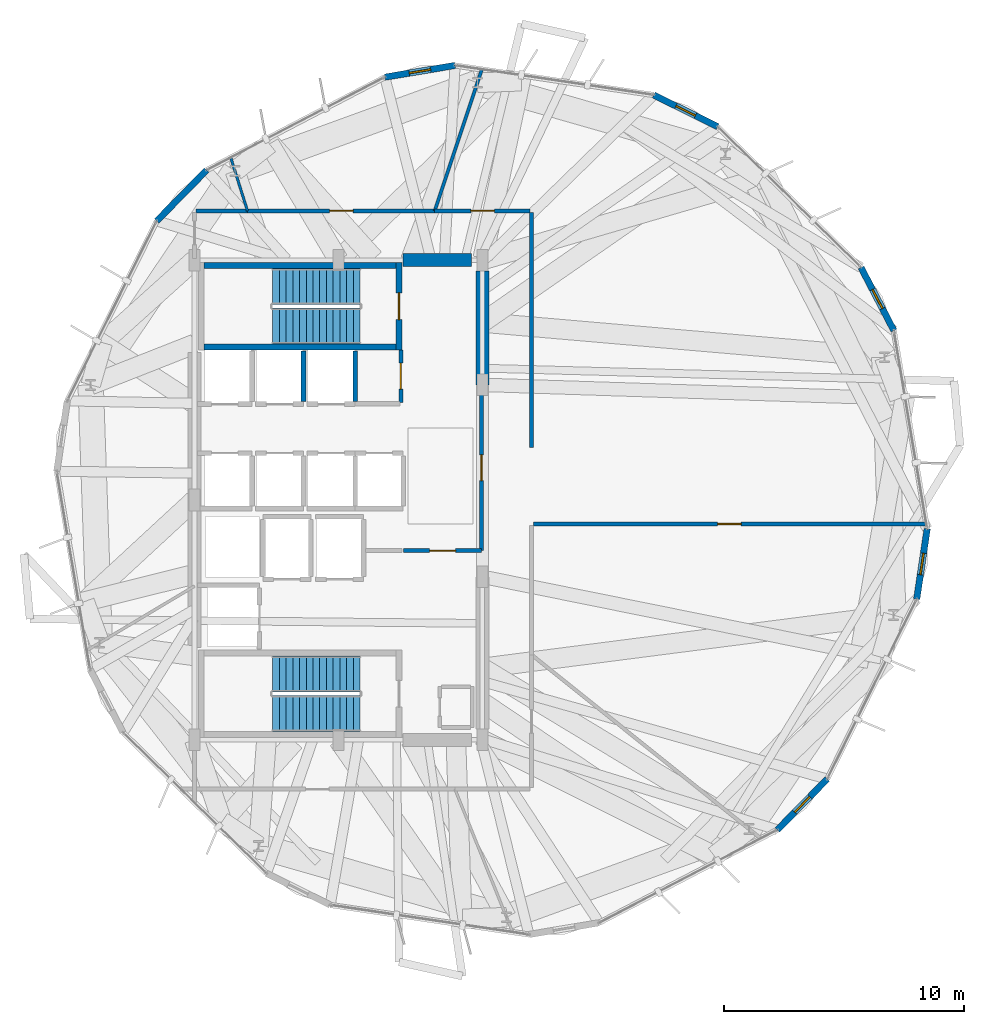
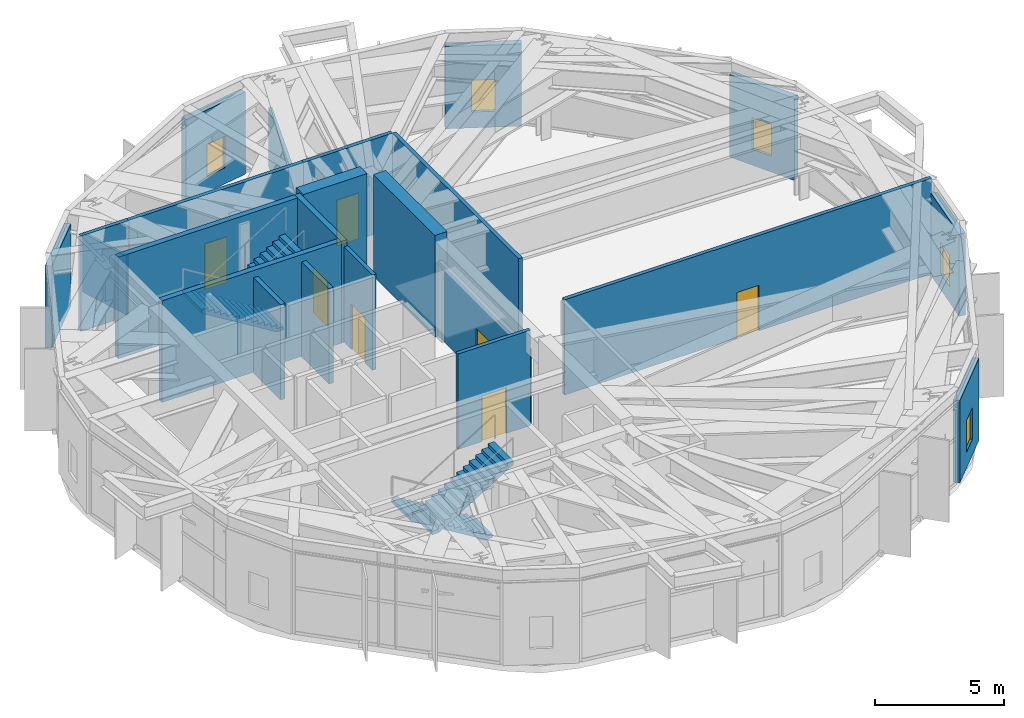
# One storey, part 23 of 27: 23 walls, 7 doors, 5 windows, 4 stair flights, 12 openings, 2 elements without a shape of their own.
"""IFC4 building model written with IfcOpenShell, lengths in metres."""

from ifc_helpers import new_model, si_unit, direction, frame, frame_2d, origin, place, context, subcontext, project, spatial, polyline, rectangle, outline, extrude, material, layer, layer_set, type_object, element, fill, aggregate, save


model = new_model("IFC4")

# Units and contexts
model_context = context("Model", 3, precision=1e-05, world=origin(), true_north=direction((0.0, 1.0)))
body_context = subcontext(model_context, "Body", "Model", "MODEL_VIEW")
ifc_project = project(units=[si_unit("LENGTHUNIT", "METRE"), si_unit("AREAUNIT", "SQUARE_METRE"), si_unit("VOLUMEUNIT", "CUBIC_METRE"), si_unit("PLANEANGLEUNIT", "RADIAN"), si_unit("MASSUNIT", "GRAM", prefix="KILO")], contexts=[model_context])

# Site, building, storey
site_placement = place(None, origin())
site = spatial("IfcSite", under=ifc_project, at=site_placement, CompositionType="ELEMENT")
building_placement = place(site_placement, origin())
building = spatial("IfcBuilding", under=site, at=building_placement, Name="Soratama Intermodal Tower", CompositionType="ELEMENT")
storey_placement = place(building_placement, frame((0.0, 0.0, 134.199951171875)))
storey = spatial("IfcBuildingStorey", under=building, at=storey_placement, Name="L32", CompositionType="ELEMENT", Elevation=134.199951171875)

# Wall, opening, window
ifc_material_1 = material(Name="Concrete f'c 42 MPa", Category="concrete")
ifc_layer_1 = layer(ifc_material_1, 0.27001953125)
ifc_layer_set_1 = layer_set([ifc_layer_1], Name="Concrete f'c 42 MPa")
wall_type_1 = type_object("IfcWallType", Name="EW-CRN-270", PredefinedType="SOLIDWALL", material=ifc_layer_set_1)
wall_1_placement = place(storey_placement, frame((54.40087890625, 40.55908203125, 0.0), z_axis=(0.0, 0.0, 1.0), x_axis=(-0.895215836877, 0.445632814551, 0.0)))
wall_1 = element("IfcWall", 1, at=wall_1_placement, inside=storey, type_object=wall_type_1, Name="L32 Corner Closure Wall 01", PredefinedType="SOLIDWALL", context=body_context, shape_type="SweptSolid", body=[
    extrude(rectangle(XDim=2.966552734375, YDim=0.27001953125, at=frame_2d((1.4833984375, 0.0))), origin(), (0.0, 0.0, 1.0), 3.879150390625),
])
opening_1_placement = place(wall_1_placement, frame((1.033203125, 0.0, 0.75)))
opening_1 = element("IfcOpeningElement", 2, at=opening_1_placement, cuts=wall_1, Name="Opening WN-6", PredefinedType="OPENING", context=body_context, shape_type="SweptSolid", body=[
    extrude(rectangle(XDim=0.89990234375, YDim=1.5, at=frame_2d((0.449951171875, 0.75))), frame((0.0, 0.14501953125, 0.0), z_axis=(0.0, -1.0, 0.0), x_axis=(1.0, 0.0, 0.0)), (0.0, 0.0, 1.0), 0.2900390625),
])
ifc_material_2 = material(Name="Double-glazed aluminium window", Category="aluminium")
window_type = type_object("IfcWindowType", Name="WN-FAC-900", PartitioningType="SINGLE_PANEL", PredefinedType="WINDOW", material=ifc_material_2)
window_1_placement = place(opening_1_placement, origin())
window_1 = element("IfcWindow", 3, at=window_1_placement, inside=storey, type_object=window_type, Name="L32 Corner Window 01", OverallHeight=1.5, OverallWidth=0.89990234375, PartitioningType="SINGLE_PANEL", PredefinedType="WINDOW", context=body_context, shape_type="SweptSolid", body=[
    extrude(rectangle(XDim=0.89990234375, YDim=1.5, at=frame_2d((0.449951171875, 0.75))), frame((0.0, 0.030029296875, 0.0), z_axis=(0.0, -1.0, 0.0), x_axis=(1.0, 0.0, 0.0)), (0.0, 0.0, 1.0), 0.06005859375),
])
fill(opening_1, window_1)

wall_2_placement = place(storey_placement, frame((43.4599609375, 43.11328125, 0.0), z_axis=(0.0, 0.0, 1.0), x_axis=(-0.986168353547, -0.165746729871, 0.0)))
wall_2 = element("IfcWall", 4, at=wall_2_placement, inside=storey, type_object=wall_type_1, Name="L32 Corner Closure Wall 02", PredefinedType="SOLIDWALL", context=body_context, shape_type="SweptSolid", body=[
    extrude(rectangle(XDim=2.966552734375, YDim=0.27001953125, at=frame_2d((1.4833984375, 0.0))), origin(), (0.0, 0.0, 1.0), 3.879150390625),
])
opening_2_placement = place(wall_2_placement, frame((1.033203125, 0.0, 0.75)))
opening_2 = element("IfcOpeningElement", 5, at=opening_2_placement, cuts=wall_2, Name="Opening WN-6", PredefinedType="OPENING", context=body_context, shape_type="SweptSolid", body=[
    extrude(rectangle(XDim=0.89990234375, YDim=1.5, at=frame_2d((0.449951171875, 0.75))), frame((0.0, 0.14501953125, 0.0), z_axis=(0.0, -1.0, 0.0), x_axis=(1.0, 0.0, 0.0)), (0.0, 0.0, 1.0), 0.2900390625),
])
window_2_placement = place(opening_2_placement, origin())
window_2 = element("IfcWindow", 6, at=window_2_placement, inside=storey, type_object=window_type, Name="L32 Corner Window 02", OverallHeight=1.5, OverallWidth=0.89990234375, PartitioningType="SINGLE_PANEL", PredefinedType="WINDOW", context=body_context, shape_type="SweptSolid", body=[
    extrude(rectangle(XDim=0.89990234375, YDim=1.5, at=frame_2d((0.449951171875, 0.75))), frame((0.0, 0.030029296875, 0.0), z_axis=(0.0, -1.0, 0.0), x_axis=(1.0, 0.0, 0.0)), (0.0, 0.0, 1.0), 0.06005859375),
])
fill(opening_2, window_2)

# Wall
wall_3_placement = place(storey_placement, frame((33.107421875, 38.748779296875, 0.0), z_axis=(0.0, 0.0, 1.0), x_axis=(-0.700409496998, -0.713741225175, 0.0)))
element("IfcWall", 7, at=wall_3_placement, inside=storey, type_object=wall_type_1, Name="L32 Corner Closure Wall 03", PredefinedType="SOLIDWALL", context=body_context, shape_type="SweptSolid", body=[
    extrude(rectangle(XDim=2.966552734375, YDim=0.27001953125, at=frame_2d((1.4833984375, 0.0))), origin(), (0.0, 0.0, 1.0), 3.879150390625),
])

# Wall, opening, window
wall_4_placement = place(storey_placement, frame((56.892578125, 11.251220703125, 0.0), z_axis=(0.0, 0.0, 1.0), x_axis=(0.700409496998, 0.713741225175, 0.0)))
wall_4 = element("IfcWall", 8, at=wall_4_placement, inside=storey, type_object=wall_type_1, Name="L32 Corner Closure Wall 08", PredefinedType="SOLIDWALL", context=body_context, shape_type="SweptSolid", body=[
    extrude(rectangle(XDim=2.966552734375, YDim=0.27001953125, at=frame_2d((1.4833984375, 0.0))), origin(), (0.0, 0.0, 1.0), 3.879150390625),
])
opening_3_placement = place(wall_4_placement, frame((1.033203125, 0.0, 0.75)))
opening_3 = element("IfcOpeningElement", 9, at=opening_3_placement, cuts=wall_4, Name="Opening WN-6", PredefinedType="OPENING", context=body_context, shape_type="SweptSolid", body=[
    extrude(rectangle(XDim=0.89990234375, YDim=1.5, at=frame_2d((0.449951171875, 0.75))), frame((0.0, 0.14501953125, 0.0), z_axis=(0.0, -1.0, 0.0), x_axis=(1.0, 0.0, 0.0)), (0.0, 0.0, 1.0), 0.2900390625),
])
window_3_placement = place(opening_3_placement, origin())
window_3 = element("IfcWindow", 10, at=window_3_placement, inside=storey, type_object=window_type, Name="L32 Corner Window 08", OverallHeight=1.5, OverallWidth=0.89990234375, PartitioningType="SINGLE_PANEL", PredefinedType="WINDOW", context=body_context, shape_type="SweptSolid", body=[
    extrude(rectangle(XDim=0.89990234375, YDim=1.5, at=frame_2d((0.449951171875, 0.75))), frame((0.0, 0.030029296875, 0.0), z_axis=(0.0, -1.0, 0.0), x_axis=(1.0, 0.0, 0.0)), (0.0, 0.0, 1.0), 0.06005859375),
])
fill(opening_3, window_3)

wall_5_placement = place(storey_placement, frame((62.70263671875, 20.867431640625, 0.0), z_axis=(0.0, 0.0, 1.0), x_axis=(0.147157120534, 0.989113128958, 0.0)))
wall_5 = element("IfcWall", 11, at=wall_5_placement, inside=storey, type_object=wall_type_1, Name="L32 Corner Closure Wall 09", PredefinedType="SOLIDWALL", context=body_context, shape_type="SweptSolid", body=[
    extrude(rectangle(XDim=2.96630859375, YDim=0.27001953125, at=frame_2d((1.483154296875, 0.0))), origin(), (0.0, 0.0, 1.0), 3.879150390625),
])
opening_4_placement = place(wall_5_placement, frame((1.033203125, 0.0, 0.75)))
opening_4 = element("IfcOpeningElement", 12, at=opening_4_placement, cuts=wall_5, Name="Opening WN-6", PredefinedType="OPENING", context=body_context, shape_type="SweptSolid", body=[
    extrude(rectangle(XDim=0.89990234375, YDim=1.5, at=frame_2d((0.449951171875, 0.75))), frame((0.0, 0.14501953125, 0.0), z_axis=(0.0, -1.0, 0.0), x_axis=(1.0, 0.0, 0.0)), (0.0, 0.0, 1.0), 0.2900390625),
])
window_4_placement = place(opening_4_placement, origin())
window_4 = element("IfcWindow", 13, at=window_4_placement, inside=storey, type_object=window_type, Name="L32 Corner Window 09", OverallHeight=1.5, OverallWidth=0.89990234375, PartitioningType="SINGLE_PANEL", PredefinedType="WINDOW", context=body_context, shape_type="SweptSolid", body=[
    extrude(rectangle(XDim=0.89990234375, YDim=1.5, at=frame_2d((0.449951171875, 0.75))), frame((0.0, 0.030029296875, 0.0), z_axis=(0.0, -1.0, 0.0), x_axis=(1.0, 0.0, 0.0)), (0.0, 0.0, 1.0), 0.06005859375),
])
fill(opening_4, window_4)

wall_6_placement = place(storey_placement, frame((61.7509765625, 32.06201171875, 0.0), z_axis=(0.0, 0.0, 1.0), x_axis=(-0.462422563067, 0.886659671558, 0.0)))
wall_6 = element("IfcWall", 14, at=wall_6_placement, inside=storey, type_object=wall_type_1, Name="L32 Corner Closure Wall 10", PredefinedType="SOLIDWALL", context=body_context, shape_type="SweptSolid", body=[
    extrude(rectangle(XDim=2.966552734375, YDim=0.27001953125, at=frame_2d((1.4833984375, 0.0))), origin(), (0.0, 0.0, 1.0), 3.879150390625),
])
opening_5_placement = place(wall_6_placement, frame((1.033203125, 0.0, 0.75)))
opening_5 = element("IfcOpeningElement", 15, at=opening_5_placement, cuts=wall_6, Name="Opening WN-6", PredefinedType="OPENING", context=body_context, shape_type="SweptSolid", body=[
    extrude(rectangle(XDim=0.89990234375, YDim=1.5, at=frame_2d((0.449951171875, 0.75))), frame((0.0, 0.14501953125, 0.0), z_axis=(0.0, -1.0, 0.0), x_axis=(1.0, 0.0, 0.0)), (0.0, 0.0, 1.0), 0.2900390625),
])
window_5_placement = place(opening_5_placement, origin())
window_5 = element("IfcWindow", 16, at=window_5_placement, inside=storey, type_object=window_type, Name="L32 Corner Window 10", OverallHeight=1.5, OverallWidth=0.89990234375, PartitioningType="SINGLE_PANEL", PredefinedType="WINDOW", context=body_context, shape_type="SweptSolid", body=[
    extrude(rectangle(XDim=0.89990234375, YDim=1.5, at=frame_2d((0.449951171875, 0.75))), frame((0.0, 0.030029296875, 0.0), z_axis=(0.0, -1.0, 0.0), x_axis=(1.0, 0.0, 0.0)), (0.0, 0.0, 1.0), 0.06005859375),
])
fill(opening_5, window_5)

# Wall, opening, door
ifc_material_3 = material(Name="Fire-rated gypsum stud partition", Category="concrete")
ifc_layer_2 = layer(ifc_material_3, 0.169921875)
ifc_layer_set_2 = layer_set([ifc_layer_2], Name="Fire-rated gypsum stud partition")
wall_type_2 = type_object("IfcWallType", Name="IW-PART-R170", PredefinedType="PARTITIONING", material=ifc_layer_set_2)
wall_7_placement = place(storey_placement, frame((63.10595703125, 24.0, 0.0), z_axis=(0.0, 0.0, 1.0), x_axis=(-1.0, 0.0, 0.0)))
wall_7 = element("IfcWall", 17, at=wall_7_placement, inside=storey, type_object=wall_type_2, Name="L32 Partition W-L32-TP001", PredefinedType="PARTITIONING", context=body_context, shape_type="SweptSolid", body=[
    extrude(rectangle(XDim=16.385986328125, YDim=0.169921875, at=frame_2d((8.19287109375, 0.0))), origin(), (0.0, 0.0, 1.0), 4.5),
])
opening_6_placement = place(wall_7_placement, frame((7.718017578125, 0.0, 0.0)))
opening_6 = element("IfcOpeningElement", 18, at=opening_6_placement, cuts=wall_7, Name="Opening ID-5", PredefinedType="OPENING", context=body_context, shape_type="SweptSolid", body=[
    extrude(rectangle(XDim=0.97998046875, YDim=2.14990234375, at=frame_2d((0.489990234375, 1.074951171875))), frame((0.0, 0.094970703125, 0.0), z_axis=(0.0, -1.0, 0.0), x_axis=(1.0, 0.0, 0.0)), (0.0, 0.0, 1.0), 0.18994140625),
])
ifc_material_4 = material(Name="Solid hardwood acoustic door", Category="wood")
door_type_1 = type_object("IfcDoorType", Name="DR-OFF-980", OperationType="NOTDEFINED", PredefinedType="DOOR", material=ifc_material_4)
door_1_placement = place(opening_6_placement, origin())
door_1 = element("IfcDoor", 19, at=door_1_placement, inside=storey, type_object=door_type_1, Name="L32 Door D-L32-TP001", OperationType="SINGLE_SWING_RIGHT", OverallHeight=2.14990234375, OverallWidth=0.97998046875, PredefinedType="DOOR", context=body_context, shape_type="SweptSolid", body=[
    extrude(rectangle(XDim=0.97998046875, YDim=2.14990234375, at=frame_2d((0.489990234375, 1.074951171875))), frame((0.0, 0.02490234375, 0.0), z_axis=(0.0, -1.0, 0.0), x_axis=(1.0, 0.0, 0.0)), (0.0, 0.0, 1.0), 0.050048828125),
])
fill(opening_6, door_1)

wall_8_placement = place(storey_placement, frame((34.81005859375, 37.050048828125, 0.0), z_axis=(0.0, 0.0, 1.0), x_axis=(1.0, 0.0, 0.0)))
wall_8 = element("IfcWall", 20, at=wall_8_placement, inside=storey, type_object=wall_type_2, Name="L32 Partition W-L32-TP004", PredefinedType="PARTITIONING", context=body_context, shape_type="SweptSolid", body=[
    extrude(rectangle(XDim=7.803955078125, YDim=0.169921875, at=frame_2d((3.90185546875, 0.0))), origin(), (0.0, 0.0, 1.0), 4.5),
])
opening_7_placement = place(wall_8_placement, frame((3.427001953125, 0.0, 0.0)))
opening_7 = element("IfcOpeningElement", 21, at=opening_7_placement, cuts=wall_8, Name="Opening ID-5", PredefinedType="OPENING", context=body_context, shape_type="SweptSolid", body=[
    extrude(rectangle(XDim=0.97998046875, YDim=2.14990234375, at=frame_2d((0.489990234375, 1.074951171875))), frame((0.0, 0.094970703125, 0.0), z_axis=(0.0, -1.0, 0.0), x_axis=(1.0, 0.0, 0.0)), (0.0, 0.0, 1.0), 0.18994140625),
])
door_2_placement = place(opening_7_placement, origin())
door_2 = element("IfcDoor", 22, at=door_2_placement, inside=storey, type_object=door_type_1, Name="L32 Door D-L32-TP003", OperationType="SINGLE_SWING_RIGHT", OverallHeight=2.14990234375, OverallWidth=0.97998046875, PredefinedType="DOOR", context=body_context, shape_type="SweptSolid", body=[
    extrude(rectangle(XDim=0.97998046875, YDim=2.14990234375, at=frame_2d((0.489990234375, 1.074951171875))), frame((0.0, 0.02490234375, 0.0), z_axis=(0.0, -1.0, 0.0), x_axis=(1.0, 0.0, 0.0)), (0.0, 0.0, 1.0), 0.050048828125),
])
fill(opening_7, door_2)

wall_9_placement = place(storey_placement, frame((44.56005859375, 29.800048828125, 0.0), z_axis=(0.0, 0.0, 1.0), x_axis=(0.0, -1.0, 0.0)))
wall_9 = element("IfcWall", 23, at=wall_9_placement, inside=storey, type_object=wall_type_2, Name="L32 Partition W-L32-TP005", PredefinedType="PARTITIONING", context=body_context, shape_type="SweptSolid", body=[
    extrude(rectangle(XDim=6.91015625, YDim=0.169921875, at=frame_2d((3.455078125, 0.0))), origin(), (0.0, 0.0, 1.0), 3.5400390625),
])
opening_8_placement = place(wall_9_placement, frame((2.9150390625, 0.0, 0.0)))
opening_8 = element("IfcOpeningElement", 24, at=opening_8_placement, cuts=wall_9, Name="Opening ID-1", PredefinedType="OPENING", context=body_context, shape_type="SweptSolid", body=[
    extrude(rectangle(XDim=1.080078125, YDim=2.14990234375, at=frame_2d((0.5400390625, 1.074951171875))), frame((0.0, 0.094970703125, 0.0), z_axis=(0.0, -1.0, 0.0), x_axis=(1.0, 0.0, 0.0)), (0.0, 0.0, 1.0), 0.18994140625),
])
ifc_material_5 = material(Name="Solid hardwood acoustic door", Category="wood")
door_type_2 = type_object("IfcDoorType", Name="DR-LOB-FD60", OperationType="NOTDEFINED", PredefinedType="DOOR", material=ifc_material_5)
door_3_placement = place(opening_8_placement, origin())
door_3 = element("IfcDoor", 25, at=door_3_placement, inside=storey, type_object=door_type_2, Name="L32 Door D-L32-TP004", OperationType="SINGLE_SWING_LEFT", OverallHeight=2.14990234375, OverallWidth=1.080078125, PredefinedType="DOOR", context=body_context, shape_type="SweptSolid", body=[
    extrude(rectangle(XDim=1.080078125, YDim=2.14990234375, at=frame_2d((0.5400390625, 1.074951171875))), frame((0.0, 0.02490234375, 0.0), z_axis=(0.0, -1.0, 0.0), x_axis=(1.0, 0.0, 0.0)), (0.0, 0.0, 1.0), 0.050048828125),
])
fill(opening_8, door_3)

wall_10_placement = place(storey_placement, frame((42.614013671875, 37.050048828125, 0.0), z_axis=(0.0, 0.0, 1.0), x_axis=(1.0, 0.0, 0.0)))
wall_10 = element("IfcWall", 26, at=wall_10_placement, inside=storey, type_object=wall_type_2, Name="L32 Partition W-L32-TP011", PredefinedType="PARTITIONING", context=body_context, shape_type="SweptSolid", body=[
    extrude(rectangle(XDim=3.966064453125, YDim=0.169921875, at=frame_2d((1.98291015625, 0.0))), origin(), (0.0, 0.0, 1.0), 4.5),
])
opening_9_placement = place(wall_10_placement, frame((1.508056640625, 0.0, 0.0)))
opening_9 = element("IfcOpeningElement", 27, at=opening_9_placement, cuts=wall_10, Name="Opening ID-5", PredefinedType="OPENING", context=body_context, shape_type="SweptSolid", body=[
    extrude(rectangle(XDim=0.97998046875, YDim=2.14990234375, at=frame_2d((0.489990234375, 1.074951171875))), frame((0.0, 0.094970703125, 0.0), z_axis=(0.0, -1.0, 0.0), x_axis=(1.0, 0.0, 0.0)), (0.0, 0.0, 1.0), 0.18994140625),
])
door_4_placement = place(opening_9_placement, origin())
door_4 = element("IfcDoor", 28, at=door_4_placement, inside=storey, type_object=door_type_1, Name="L32 Door D-L32-TP006", OperationType="SINGLE_SWING_LEFT", OverallHeight=2.14990234375, OverallWidth=0.97998046875, PredefinedType="DOOR", context=body_context, shape_type="SweptSolid", body=[
    extrude(rectangle(XDim=0.97998046875, YDim=2.14990234375, at=frame_2d((0.489990234375, 1.074951171875))), frame((0.0, 0.02490234375, 0.0), z_axis=(0.0, -1.0, 0.0), x_axis=(1.0, 0.0, 0.0)), (0.0, 0.0, 1.0), 0.050048828125),
])
fill(opening_9, door_4)

wall_11_placement = place(storey_placement, frame((41.320068359375, 22.889892578125, 0.0), z_axis=(0.0, 0.0, 1.0), x_axis=(1.0, 0.0, 0.0)))
wall_11 = element("IfcWall", 29, at=wall_11_placement, inside=storey, type_object=wall_type_2, Name="L32 Partition W-L32-TP012", PredefinedType="PARTITIONING", context=body_context, shape_type="SweptSolid", body=[
    extrude(rectangle(XDim=3.239990234375, YDim=0.169921875, at=frame_2d((1.6201171875, 0.0))), origin(), (0.0, 0.0, 1.0), 4.5),
])
opening_10_placement = place(wall_11_placement, frame((1.080078125, 0.0, 0.0)))
opening_10 = element("IfcOpeningElement", 30, at=opening_10_placement, cuts=wall_11, Name="Opening ID-0", PredefinedType="OPENING", context=body_context, shape_type="SweptSolid", body=[
    extrude(rectangle(XDim=1.080078125, YDim=2.14990234375, at=frame_2d((0.5400390625, 1.074951171875))), frame((0.0, 0.094970703125, 0.0), z_axis=(0.0, -1.0, 0.0), x_axis=(1.0, 0.0, 0.0)), (0.0, 0.0, 1.0), 0.18994140625),
])
ifc_material_6 = material(Name="Solid hardwood acoustic door", Category="wood")
door_type_3 = type_object("IfcDoorType", Name="DR-LOB-FD90", OperationType="NOTDEFINED", PredefinedType="DOOR", material=ifc_material_6)
door_5_placement = place(opening_10_placement, origin())
door_5 = element("IfcDoor", 31, at=door_5_placement, inside=storey, type_object=door_type_3, Name="L32 Door D-L32-TP007", OperationType="SINGLE_SWING_RIGHT", OverallHeight=2.14990234375, OverallWidth=1.080078125, PredefinedType="DOOR", context=body_context, shape_type="SweptSolid", body=[
    extrude(rectangle(XDim=1.080078125, YDim=2.14990234375, at=frame_2d((0.5400390625, 1.074951171875))), frame((0.0, 0.02490234375, 0.0), z_axis=(0.0, -1.0, 0.0), x_axis=(1.0, 0.0, 0.0)), (0.0, 0.0, 1.0), 0.050048828125),
])
fill(opening_10, door_5)

wall_12_placement = place(storey_placement, frame((41.199951171875, 29.070068359375, 0.0), z_axis=(0.0, 0.0, 1.0), x_axis=(0.0, 1.0, 0.0)))
wall_12 = element("IfcWall", 32, at=wall_12_placement, inside=storey, type_object=wall_type_2, Name="L32 Partition W-L32-TP016", PredefinedType="PARTITIONING", context=body_context, shape_type="SweptSolid", body=[
    extrude(rectangle(XDim=2.18994140625, YDim=0.169921875, at=frame_2d((1.094970703125, 0.0))), origin(), (0.0, 0.0, 1.0), 4.5),
])
opening_11_placement = place(wall_12_placement, frame((0.554931640625, 0.0, 0.0)))
opening_11 = element("IfcOpeningElement", 33, at=opening_11_placement, cuts=wall_12, Name="Opening ID-1", PredefinedType="OPENING", context=body_context, shape_type="SweptSolid", body=[
    extrude(rectangle(XDim=1.080078125, YDim=2.14990234375, at=frame_2d((0.5400390625, 1.074951171875))), frame((0.0, 0.094970703125, 0.0), z_axis=(0.0, -1.0, 0.0), x_axis=(1.0, 0.0, 0.0)), (0.0, 0.0, 1.0), 0.18994140625),
])
door_6_placement = place(opening_11_placement, origin())
door_6 = element("IfcDoor", 34, at=door_6_placement, inside=storey, type_object=door_type_2, Name="L32 Door D-L32-TP008", OperationType="SINGLE_SWING_LEFT", OverallHeight=2.14990234375, OverallWidth=1.080078125, PredefinedType="DOOR", context=body_context, shape_type="SweptSolid", body=[
    extrude(rectangle(XDim=1.080078125, YDim=2.14990234375, at=frame_2d((0.5400390625, 1.074951171875))), frame((0.0, 0.02490234375, 0.0), z_axis=(0.0, -1.0, 0.0), x_axis=(1.0, 0.0, 0.0)), (0.0, 0.0, 1.0), 0.050048828125),
])
fill(opening_11, door_6)

# Walls
wall_13_placement = place(storey_placement, frame((32.669921875, 37.050048828125, 0.0), z_axis=(0.0, 0.0, 1.0), x_axis=(1.0, 0.0, 0.0)))
element("IfcWall", 35, at=wall_13_placement, inside=storey, type_object=wall_type_2, Name="L32 Partition W-L32-TP017", PredefinedType="PARTITIONING", context=body_context, shape_type="SweptSolid", body=[
    extrude(rectangle(XDim=2.14013671875, YDim=0.169921875, at=frame_2d((1.070068359375, 0.0))), origin(), (0.0, 0.0, 1.0), 4.5),
])
wall_14_placement = place(storey_placement, frame((46.64990234375, 36.97998046875, 0.0), z_axis=(0.0, 0.0, 1.0), x_axis=(0.0, -1.0, 0.0)))
element("IfcWall", 36, at=wall_14_placement, inside=storey, type_object=wall_type_2, Name="L32 Partition W-L32-TP021", PredefinedType="PARTITIONING", context=body_context, shape_type="SweptSolid", body=[
    extrude(rectangle(XDim=9.783935546875, YDim=0.169921875, at=frame_2d((4.89208984375, 0.0))), origin(), (0.0, 0.0, 1.0), 4.5),
])
ifc_material_7 = material(Name="Fire-rated gypsum stud partition", Category="concrete")
ifc_layer_3 = layer(ifc_material_7, 0.110107421875)
ifc_layer_set_3 = layer_set([ifc_layer_3], Name="Fire-rated gypsum stud partition")
wall_type_3 = type_object("IfcWallType", Name="IW-PART-S110", PredefinedType="PARTITIONING", material=ifc_layer_set_3)
wall_15_placement = place(storey_placement, frame((34.81005859375, 37.050048828125, 0.0), z_axis=(0.0, 0.0, 1.0), x_axis=(-0.300082780879, 0.953913164088, 0.0)))
element("IfcWall", 37, at=wall_15_placement, inside=storey, type_object=wall_type_3, Name="L32 Partition W-L32-TP015", PredefinedType="PARTITIONING", context=body_context, shape_type="SweptSolid", body=[
    extrude(rectangle(XDim=2.329345703125, YDim=0.110107421875, at=frame_2d((1.16455078125, 0.0))), origin(), (0.0, 0.0, 1.0), 2.7900390625),
])
ifc_material_8 = material(Name="Fire-rated gypsum stud partition", Category="concrete")
ifc_layer_4 = layer(ifc_material_8, 0.139892578125)
ifc_layer_set_4 = layer_set([ifc_layer_4], Name="Fire-rated gypsum stud partition")
wall_type_4 = type_object("IfcWallType", Name="IW-PART-S140", PredefinedType="PARTITIONING", material=ifc_layer_set_4)
wall_16_placement = place(storey_placement, frame((42.614013671875, 37.050048828125, 0.0), z_axis=(0.0, 0.0, 1.0), x_axis=(0.315968506057, 0.948769678679, 0.0)))
element("IfcWall", 38, at=wall_16_placement, inside=storey, type_object=wall_type_4, Name="L32 Partition W-L32-TP007", PredefinedType="PARTITIONING", context=body_context, shape_type="SweptSolid", body=[
    extrude(rectangle(XDim=6.21533203125, YDim=0.139892578125, at=frame_2d((3.107666015625, 0.0))), origin(), (0.0, 0.0, 1.0), 2.7900390625),
])
ifc_material_9 = material(Name="Concrete f'c 42 MPa", Category="concrete")
ifc_layer_5 = layer(ifc_material_9, 0.199951171875)
ifc_layer_set_5 = layer_set([ifc_layer_5], Name="Concrete f'c 42 MPa")
wall_type_5 = type_object("IfcWallType", Name="IW-SHAFT-200", PredefinedType="SOLIDWALL", material=ifc_layer_set_5)
for number, where, z_axis, x_axis, name in (
    (39, (37.14990234375, 29.110107421875, 0.0), (0.0, 0.0, 1.0), (0.0, 1.0, 0.0), "L32 PL-H1 Hoistway Wall E"),
    (40, (39.300048828125, 29.110107421875, 0.0), (0.0, 0.0, 1.0), (0.0, 1.0, 0.0), "L32 PL-H2 Hoistway Wall E"),
):
    element("IfcWall", number, at=place(storey_placement, frame(where, z_axis=z_axis, x_axis=x_axis)), inside=storey, type_object=wall_type_5, Name=name, PredefinedType="SOLIDWALL", context=body_context, shape_type="SweptSolid", body=[
        extrude(rectangle(XDim=2.099853515625, YDim=0.199951171875, at=frame_2d((1.0498046875, 0.0))), origin(), (0.0, 0.0, 1.0), 4.5),
    ])
ifc_material_10 = material(Name="Concrete f'c 56 MPa", Category="concrete")
ifc_layer_6 = layer(ifc_material_10, 0.550048828125)
ifc_layer_set_6 = layer_set([ifc_layer_6], Name="Concrete f'c 56 MPa")
wall_type_6 = type_object("IfcWallType", Name="SW-CORE-550", PredefinedType="SHEAR", material=ifc_layer_set_6)
wall_17_placement = place(storey_placement, frame((41.300048828125, 35.0, 0.0), z_axis=(0.0, 0.0, 1.0), x_axis=(1.0, 0.0, 0.0)))
element("IfcWall", 41, at=wall_17_placement, inside=storey, type_object=wall_type_6, Name="L32 Core Shear Wall CW-NE", PredefinedType="SHEAR", context=body_context, shape_type="SweptSolid", body=[
    extrude(rectangle(XDim=2.849853515625, YDim=0.550048828125, at=frame_2d((1.4248046875, 0.0))), origin(), (0.0, 0.0, 1.0), 4.800048828125),
])
wall_18_placement = place(storey_placement, frame((44.60009765625, 29.800048828125, 0.0), z_axis=(0.0, 0.0, 1.0), x_axis=(0.0, 1.0, 0.0)))
element("IfcWall", 42, at=wall_18_placement, inside=storey, type_object=wall_type_6, Name="L32 Core Shear Wall CW-EN", PredefinedType="SHEAR", context=body_context, shape_type="SweptSolid", body=[
    extrude(rectangle(XDim=4.75, YDim=0.550048828125, at=frame_2d((2.375, 0.0))), origin(), (0.0, 0.0, 1.0), 4.800048828125),
])

# Wall, opening, door
ifc_material_11 = material(Name="Concrete f'c 56 MPa", Category="concrete")
ifc_layer_7 = layer(ifc_material_11, 0.239990234375)
ifc_layer_set_7 = layer_set([ifc_layer_7], Name="Concrete f'c 56 MPa")
wall_type_7 = type_object("IfcWallType", Name="SW-STAIR-240", PredefinedType="SHEAR", material=ifc_layer_set_7)
wall_19_placement = place(storey_placement, frame((41.1201171875, 31.260009765625, 0.0), z_axis=(0.0, 0.0, 1.0), x_axis=(0.0, 1.0, 0.0)))
wall_19 = element("IfcWall", 43, at=wall_19_placement, inside=storey, type_object=wall_type_7, Name="L32 ST-2 Shaft Shear Wall E", PredefinedType="SHEAR", context=body_context, shape_type="SweptSolid", body=[
    extrude(rectangle(XDim=3.6298828125, YDim=0.239990234375, at=frame_2d((1.81494140625, 0.0))), origin(), (0.0, 0.0, 1.0), 4.800048828125),
])
opening_12_placement = place(wall_19_placement, frame((1.2548828125, 0.0, 0.0)))
opening_12 = element("IfcOpeningElement", 44, at=opening_12_placement, cuts=wall_19, Name="Opening SD-1", PredefinedType="OPENING", context=body_context, shape_type="SweptSolid", body=[
    extrude(rectangle(XDim=1.1201171875, YDim=2.14990234375, at=frame_2d((0.56005859375, 1.074951171875))), frame((0.0, 0.1298828125, 0.0), z_axis=(0.0, -1.0, 0.0), x_axis=(1.0, 0.0, 0.0)), (0.0, 0.0, 1.0), 0.260009765625),
])
ifc_material_12 = material(Name="Steel fire door", Category="steel")
door_type_4 = type_object("IfcDoorType", Name="DR-STAIR-FD90", OperationType="NOTDEFINED", PredefinedType="DOOR", material=ifc_material_12)
door_7_placement = place(opening_12_placement, origin())
door_7 = element("IfcDoor", 45, at=door_7_placement, inside=storey, type_object=door_type_4, Name="L32 ST-2 Exit Stair Door", OperationType="SINGLE_SWING_RIGHT", OverallHeight=2.14990234375, OverallWidth=1.1201171875, PredefinedType="DOOR", context=body_context, shape_type="SweptSolid", body=[
    extrude(rectangle(XDim=1.1201171875, YDim=2.14990234375, at=frame_2d((0.56005859375, 1.074951171875))), frame((0.0, 0.02490234375, 0.0), z_axis=(0.0, -1.0, 0.0), x_axis=(1.0, 0.0, 0.0)), (0.0, 0.0, 1.0), 0.050048828125),
])
fill(opening_12, door_7)

# Walls
for number, where, z_axis, x_axis, name in (
    (46, (33.0, 31.3798828125, 0.0), (0.0, 0.0, 1.0), (1.0, 0.0, 0.0), "L32 ST-2 Shaft Shear Wall S"),
    (47, (33.0, 34.77001953125, 0.0), (0.0, 0.0, 1.0), (1.0, 0.0, 0.0), "L32 ST-2 Shaft Shear Wall N"),
):
    element("IfcWall", number, at=place(storey_placement, frame(where, z_axis=z_axis, x_axis=x_axis)), inside=storey, type_object=wall_type_7, Name=name, PredefinedType="SHEAR", context=body_context, shape_type="SweptSolid", body=[
        extrude(rectangle(XDim=8.0, YDim=0.239990234375, at=frame_2d((4.0, 0.0))), origin(), (0.0, 0.0, 1.0), 4.800048828125),
    ])

# Stair, stair flights
ifc_material_13 = material(Name="Concrete f'c 42 MPa", Category="concrete")
stair_type = type_object("IfcStairType", Name="ST-CORE-DOGLEG", PredefinedType="HALF_TURN_STAIR", material=ifc_material_13)
stair_1_placement = place(storey_placement, origin())
stair_1 = element("IfcStair", 48, at=stair_1_placement, inside=storey, type_object=stair_type, Name="L32 ST-1", PredefinedType="HALF_TURN_STAIR")
ifc_material_14 = material(Name="Precast concrete f'c 40 MPa", Category="concrete")
ifc_layer_8 = layer(ifc_material_14, 0.199951171875)
ifc_layer_set_8 = layer_set([ifc_layer_8], Name="Precast concrete f'c 40 MPa")
stair_flight_type = type_object("IfcStairFlightType", Name="SF-FLIGHT-RC", PredefinedType="STRAIGHT", material=ifc_layer_set_8)
stair_flight_1_placement = place(storey_placement, frame((39.5, 17.75, 0.0), z_axis=(0.0, 0.0, 1.0), x_axis=(-1.0, 0.0, 0.0)))
stair_flight_1 = element("IfcStairFlight", 49, at=stair_flight_1_placement, type_object=stair_flight_type, Name="ST-1 flight 1", NumberOfRisers=14, NumberOfTreads=13, PredefinedType="STRAIGHT", RiserHeight=0.171428571, TreadLength=0.28, context=body_context, shape_type="SweptSolid", body=[
    extrude(outline(polyline([(0.0, 0.0), (0.0, 0.17138671875), (0.280029296875, 0.17138671875), (0.280029296875, 0.3427734375), (0.56005859375, 0.3427734375), (0.56005859375, 0.514404296875), (0.840087890625, 0.514404296875), (0.840087890625, 0.685791015625), (1.1201171875, 0.685791015625), (1.1201171875, 0.857177734375), (1.39990234375, 0.857177734375), (1.39990234375, 1.028564453125), (1.679931640625, 1.028564453125), (1.679931640625, 1.199951171875), (1.9599609375, 1.199951171875), (1.9599609375, 1.371337890625), (2.239990234375, 1.371337890625), (2.239990234375, 1.54296875), (2.52001953125, 1.54296875), (2.52001953125, 1.71435546875), (2.800048828125, 1.71435546875), (2.800048828125, 1.8857421875), (3.080078125, 1.8857421875), (3.080078125, 2.05712890625), (3.360107421875, 2.05712890625), (3.360107421875, 2.228515625), (3.639892578125, 2.228515625), (3.639892578125, 2.39990234375), (3.639892578125, 2.052734375), (0.287109375, 0.0), (0.0, 0.0)])), frame((0.0, 0.75, 0.0), z_axis=(0.0, -1.0, 0.0), x_axis=(1.0, 0.0, 0.0)), (0.0, 0.0, 1.0), 1.5),
])
stair_flight_2_placement = place(storey_placement, frame((35.860107421875, 16.10009765625, 2.400146484375), z_axis=(0.0, 0.0, 1.0), x_axis=(1.0, 0.0, 0.0)))
stair_flight_2 = element("IfcStairFlight", 50, at=stair_flight_2_placement, type_object=stair_flight_type, Name="ST-1 flight 2", NumberOfRisers=14, NumberOfTreads=13, PredefinedType="STRAIGHT", RiserHeight=0.171428571, TreadLength=0.28, context=body_context, shape_type="SweptSolid", body=[
    extrude(outline(polyline([(0.0, 0.0), (0.0, 0.17138671875), (0.280029296875, 0.17138671875), (0.280029296875, 0.3427734375), (0.56005859375, 0.3427734375), (0.56005859375, 0.514404296875), (0.840087890625, 0.514404296875), (0.840087890625, 0.685791015625), (1.1201171875, 0.685791015625), (1.1201171875, 0.857177734375), (1.39990234375, 0.857177734375), (1.39990234375, 1.028564453125), (1.679931640625, 1.028564453125), (1.679931640625, 1.199951171875), (1.9599609375, 1.199951171875), (1.9599609375, 1.371337890625), (2.239990234375, 1.371337890625), (2.239990234375, 1.54296875), (2.52001953125, 1.54296875), (2.52001953125, 1.71435546875), (2.800048828125, 1.71435546875), (2.800048828125, 1.8857421875), (3.080078125, 1.8857421875), (3.080078125, 2.05712890625), (3.360107421875, 2.05712890625), (3.360107421875, 2.228515625), (3.639892578125, 2.228515625), (3.639892578125, 2.39990234375), (3.639892578125, 2.052734375), (0.287109375, 0.0), (0.0, 0.0)])), frame((0.0, 0.75, 0.0), z_axis=(0.0, -1.0, 0.0), x_axis=(1.0, 0.0, 0.0)), (0.0, 0.0, 1.0), 1.5),
])
aggregate(stair_1, [stair_flight_1, stair_flight_2])

stair_2_placement = place(storey_placement, origin())
stair_2 = element("IfcStair", 51, at=stair_2_placement, inside=storey, type_object=stair_type, Name="L32 ST-2", PredefinedType="HALF_TURN_STAIR")
stair_flight_3_placement = place(storey_placement, frame((39.5, 33.89990234375, 0.0), z_axis=(0.0, 0.0, 1.0), x_axis=(-1.0, 0.0, 0.0)))
stair_flight_3 = element("IfcStairFlight", 52, at=stair_flight_3_placement, type_object=stair_flight_type, Name="ST-2 flight 1", NumberOfRisers=14, NumberOfTreads=13, PredefinedType="STRAIGHT", RiserHeight=0.171428571, TreadLength=0.28, context=body_context, shape_type="SweptSolid", body=[
    extrude(outline(polyline([(0.0, 0.0), (0.0, 0.17138671875), (0.280029296875, 0.17138671875), (0.280029296875, 0.3427734375), (0.56005859375, 0.3427734375), (0.56005859375, 0.514404296875), (0.840087890625, 0.514404296875), (0.840087890625, 0.685791015625), (1.1201171875, 0.685791015625), (1.1201171875, 0.857177734375), (1.39990234375, 0.857177734375), (1.39990234375, 1.028564453125), (1.679931640625, 1.028564453125), (1.679931640625, 1.199951171875), (1.9599609375, 1.199951171875), (1.9599609375, 1.371337890625), (2.239990234375, 1.371337890625), (2.239990234375, 1.54296875), (2.52001953125, 1.54296875), (2.52001953125, 1.71435546875), (2.800048828125, 1.71435546875), (2.800048828125, 1.8857421875), (3.080078125, 1.8857421875), (3.080078125, 2.05712890625), (3.360107421875, 2.05712890625), (3.360107421875, 2.228515625), (3.639892578125, 2.228515625), (3.639892578125, 2.39990234375), (3.639892578125, 2.052734375), (0.287109375, 0.0), (0.0, 0.0)])), frame((0.0, 0.75, 0.0), z_axis=(0.0, -1.0, 0.0), x_axis=(1.0, 0.0, 0.0)), (0.0, 0.0, 1.0), 1.5),
])
stair_flight_4_placement = place(storey_placement, frame((35.860107421875, 32.25, 2.400146484375), z_axis=(0.0, 0.0, 1.0), x_axis=(1.0, 0.0, 0.0)))
stair_flight_4 = element("IfcStairFlight", 53, at=stair_flight_4_placement, type_object=stair_flight_type, Name="ST-2 flight 2", NumberOfRisers=14, NumberOfTreads=13, PredefinedType="STRAIGHT", RiserHeight=0.171428571, TreadLength=0.28, context=body_context, shape_type="SweptSolid", body=[
    extrude(outline(polyline([(0.0, 0.0), (0.0, 0.17138671875), (0.280029296875, 0.17138671875), (0.280029296875, 0.3427734375), (0.56005859375, 0.3427734375), (0.56005859375, 0.514404296875), (0.840087890625, 0.514404296875), (0.840087890625, 0.685791015625), (1.1201171875, 0.685791015625), (1.1201171875, 0.857177734375), (1.39990234375, 0.857177734375), (1.39990234375, 1.028564453125), (1.679931640625, 1.028564453125), (1.679931640625, 1.199951171875), (1.9599609375, 1.199951171875), (1.9599609375, 1.371337890625), (2.239990234375, 1.371337890625), (2.239990234375, 1.54296875), (2.52001953125, 1.54296875), (2.52001953125, 1.71435546875), (2.800048828125, 1.71435546875), (2.800048828125, 1.8857421875), (3.080078125, 1.8857421875), (3.080078125, 2.05712890625), (3.360107421875, 2.05712890625), (3.360107421875, 2.228515625), (3.639892578125, 2.228515625), (3.639892578125, 2.39990234375), (3.639892578125, 2.052734375), (0.287109375, 0.0), (0.0, 0.0)])), frame((0.0, 0.75, 0.0), z_axis=(0.0, -1.0, 0.0), x_axis=(1.0, 0.0, 0.0)), (0.0, 0.0, 1.0), 1.5),
])
aggregate(stair_2, [stair_flight_3, stair_flight_4])

save(model, "model.ifc")
